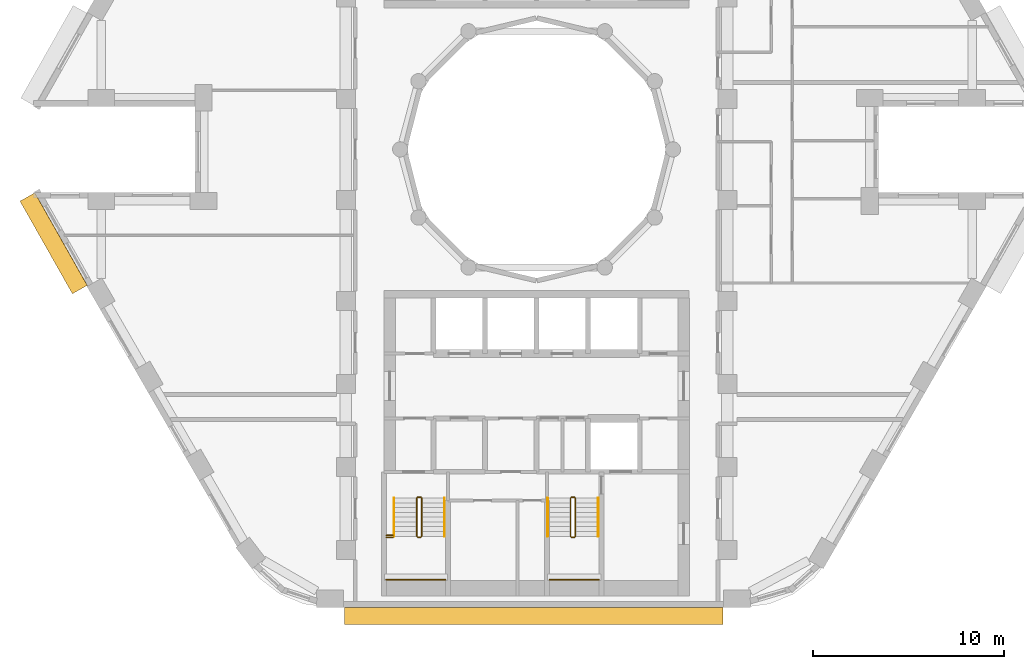
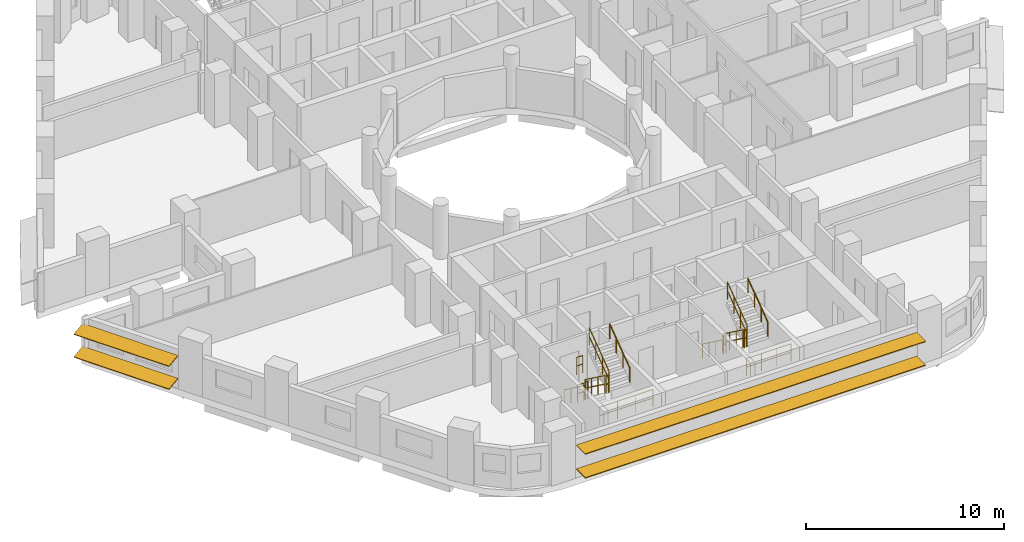
# One storey, part 11 of 13: 16 railings, 4 shading devices.
"""IFC4 building model written with IfcOpenShell, lengths in metres."""

from ifc_helpers import new_model, si_unit, direction, frame, origin, origin_2d, place, context, subcontext, project, spatial, rectangle, circle, extrude, material, material_profile, profile_set, type_object, element, save


model = new_model("IFC4")

# Units and contexts
model_context = context("Model", 3, precision=1e-05, world=origin(), true_north=direction((0.0, 1.0)))
body_context = subcontext(model_context, "Body", "Model", "MODEL_VIEW")
ifc_project = project(units=[si_unit("LENGTHUNIT", "METRE"), si_unit("AREAUNIT", "SQUARE_METRE"), si_unit("VOLUMEUNIT", "CUBIC_METRE"), si_unit("PLANEANGLEUNIT", "RADIAN"), si_unit("MASSUNIT", "GRAM", prefix="KILO")], contexts=[model_context])

# Site, building, storey
site_placement = place(None, origin())
site = spatial("IfcSite", under=ifc_project, at=site_placement, CompositionType="ELEMENT")
building_placement = place(site_placement, origin())
building = spatial("IfcBuilding", under=site, at=building_placement, Name="Nakaniwa Court", CompositionType="ELEMENT")
storey_placement = place(building_placement, frame((0.0, 0.0, 77.699951171875)))
storey = spatial("IfcBuildingStorey", under=building, at=storey_placement, Name="L19", CompositionType="ELEMENT", Elevation=77.699951171875)

# Shading devices
ifc_material_1 = material(Name="Perforated charcoal ceramic louvre blade")
ifc_material_profile = material_profile(ifc_material_1, rectangle(XDim=0.89990234375, YDim=0.050048828125, at=origin_2d()), Name="Perforated ceramic louvre blade")
ifc_profile_set = profile_set([ifc_material_profile], Name="Perforated charcoal ceramic louvre blade")
shading_device_type = type_object("IfcShadingDeviceType", Name="Perforated ceramic louvre blade", PredefinedType="JALOUSIE", material=ifc_profile_set)
for number, where, z_axis, x_axis, name in (
    (1, (53.31689453125, 77.508056640625, 0.550048828125), (0.492438058427, -0.870347493024, 0.0), (0.862701960504, 0.488112256124, 0.132256390257), "L19 perforated ceramic louvre blade w20 1"),
    (2, (53.31689453125, 77.508056640625, 1.955810546875), (0.492438058427, -0.870347493024, 0.0), (0.862701960504, 0.488112256124, 0.132256390257), "L19 perforated ceramic louvre blade w20 2"),
):
    element("IfcShadingDevice", number, at=place(storey_placement, frame(where, z_axis=z_axis, x_axis=x_axis)), inside=storey, type_object=shading_device_type, Name=name, PredefinedType="JALOUSIE", context=body_context, shape_type="SweptSolid", body=[
        extrude(rectangle(XDim=0.89990234375, YDim=0.050048828125, at=origin_2d()), origin(), (0.0, 0.0, 1.0), 5.576416015625),
    ])
for number, where, z_axis, x_axis, name in (
    (3, (69.92138671875, 55.550048828125, 0.550048828125), (1.0, 0.0, 0.0), (0.0, 1.0, 0.0), "L19 perforated ceramic louvre blade w26 1"),
    (4, (69.92138671875, 55.550048828125, 2.01513671875), (1.0, 0.0, 0.0), (0.0, 1.0, 0.0), "L19 perforated ceramic louvre blade w26 2"),
):
    element("IfcShadingDevice", number, at=place(storey_placement, frame(where, z_axis=z_axis, x_axis=x_axis)), inside=storey, type_object=shading_device_type, Name=name, PredefinedType="JALOUSIE", context=body_context, shape_type="SweptSolid", body=[
        extrude(rectangle(XDim=0.89990234375, YDim=0.050048828125, at=origin_2d()), origin(), (0.0, 0.0, 1.0), 19.839599609375),
    ])

# Railings
ifc_material_2 = material(Name="Black powder coated steel guard", Category="steel")
railing_type_1 = type_object("IfcRailingType", Name="Stair guard 1100", PredefinedType="GUARDRAIL", material=ifc_material_2)
railing_1_placement = place(storey_placement, frame((73.72509765625, 61.72509765625, 0.183349609375)))
element("IfcRailing", 5, at=railing_1_placement, inside=storey, type_object=railing_type_1, Name="L19 ST3 stair guard 1", PredefinedType="GUARDRAIL", context=body_context, shape_type="SweptSolid", body=[
    extrude(circle(Radius=0.02392578125, at=origin_2d()), frame((0.0, 0.0, 1.076171875), z_axis=(0.0, -0.806379959628, 0.591397802423), x_axis=(1.0, 0.0, 0.0)), (0.0, 0.0, 1.0), 2.480224609375),
    extrude(circle(Radius=0.02392578125, at=origin_2d()), frame((0.0, 0.0, 0.550048828125), z_axis=(0.0, -0.806379959628, 0.591397802423), x_axis=(1.0, 0.0, 0.0)), (0.0, 0.0, 1.0), 2.480224609375),
    extrude(circle(Radius=0.02099609375, at=origin_2d()), origin(), (0.0, 0.0, 1.0), 1.052001953125),
    extrude(circle(Radius=0.02099609375, at=origin_2d()), frame((0.0, -0.666748046875, 0.489013671875)), (0.0, 0.0, 1.0), 1.052001953125),
    extrude(circle(Radius=0.02099609375, at=origin_2d()), frame((0.0, -1.333251953125, 0.977783203125)), (0.0, 0.0, 1.0), 1.052001953125),
    extrude(circle(Radius=0.02099609375, at=origin_2d()), frame((0.0, -2.0, 1.466796875)), (0.0, 0.0, 1.0), 1.052001953125),
])
railing_2_placement = place(storey_placement, frame((73.77490234375, 59.675048828125, 1.650146484375)))
element("IfcRailing", 6, at=railing_2_placement, inside=storey, type_object=railing_type_1, Name="L19 ST3 stair guard 2", PredefinedType="GUARDRAIL", context=body_context, shape_type="SweptSolid", body=[
    extrude(circle(Radius=0.02392578125, at=origin_2d()), frame((0.0, 0.0, 1.076171875), z_axis=(1.0, 0.0, 0.0), x_axis=(0.0, 1.0, 0.0)), (0.0, 0.0, 1.0), 0.150146484375),
    extrude(circle(Radius=0.02392578125, at=origin_2d()), frame((0.0, 0.0, 0.550048828125), z_axis=(1.0, 0.0, 0.0), x_axis=(0.0, 1.0, 0.0)), (0.0, 0.0, 1.0), 0.150146484375),
    extrude(circle(Radius=0.02099609375, at=origin_2d()), origin(), (0.0, 0.0, 1.0), 1.052001953125),
    extrude(circle(Radius=0.02099609375, at=origin_2d()), frame((0.150146484375, 0.0, 0.0)), (0.0, 0.0, 1.0), 1.052001953125),
])
railing_3_placement = place(storey_placement, frame((73.97509765625, 59.72509765625, 1.83349609375)))
element("IfcRailing", 7, at=railing_3_placement, inside=storey, type_object=railing_type_1, Name="L19 ST3 stair guard 3", PredefinedType="GUARDRAIL", context=body_context, shape_type="SweptSolid", body=[
    extrude(circle(Radius=0.02392578125, at=origin_2d()), frame((0.0, 0.0, 1.076171875), z_axis=(0.0, 0.806426902644, 0.591333789573), x_axis=(-1.0, 0.0, 0.0)), (0.0, 0.0, 1.0), 2.47998046875),
    extrude(circle(Radius=0.02392578125, at=origin_2d()), frame((0.0, 0.0, 0.550048828125), z_axis=(0.0, 0.806426902644, 0.591333789573), x_axis=(-1.0, 0.0, 0.0)), (0.0, 0.0, 1.0), 2.47998046875),
    extrude(circle(Radius=0.02099609375, at=origin_2d()), origin(), (0.0, 0.0, 1.0), 1.052001953125),
    extrude(circle(Radius=0.02099609375, at=origin_2d()), frame((0.0, 0.666748046875, 0.48876953125)), (0.0, 0.0, 1.0), 1.052001953125),
    extrude(circle(Radius=0.02099609375, at=origin_2d()), frame((0.0, 1.333251953125, 0.977783203125)), (0.0, 0.0, 1.0), 1.052001953125),
    extrude(circle(Radius=0.02099609375, at=origin_2d()), frame((0.0, 2.0, 1.466552734375)), (0.0, 0.0, 1.0), 1.052001953125),
])
railing_4_placement = place(storey_placement, frame((73.77490234375, 61.77490234375, 0.0)))
element("IfcRailing", 8, at=railing_4_placement, inside=storey, type_object=railing_type_1, Name="L19 ST3 stair guard 4", PredefinedType="GUARDRAIL", context=body_context, shape_type="SweptSolid", body=[
    extrude(circle(Radius=0.02392578125, at=origin_2d()), frame((0.0, 0.0, 1.076171875), z_axis=(1.0, 0.0, 0.0), x_axis=(0.0, 1.0, 0.0)), (0.0, 0.0, 1.0), 0.150146484375),
    extrude(circle(Radius=0.02392578125, at=origin_2d()), frame((0.0, 0.0, 0.550048828125), z_axis=(1.0, 0.0, 0.0), x_axis=(0.0, 1.0, 0.0)), (0.0, 0.0, 1.0), 0.150146484375),
    extrude(circle(Radius=0.02099609375, at=origin_2d()), origin(), (0.0, 0.0, 1.0), 1.052001953125),
    extrude(circle(Radius=0.02099609375, at=origin_2d()), frame((0.150146484375, 0.0, 0.0)), (0.0, 0.0, 1.0), 1.052001953125),
])
railing_5_placement = place(storey_placement, frame((72.125, 57.449951171875, 1.650146484375)))
element("IfcRailing", 9, at=railing_5_placement, inside=storey, type_object=railing_type_1, Name="L19 ST3 landing end guard 1", PredefinedType="GUARDRAIL", context=body_context, shape_type="SweptSolid", body=[
    extrude(circle(Radius=0.02392578125, at=origin_2d()), frame((0.0, 0.0, 1.076171875), z_axis=(1.0, 0.0, 0.0), x_axis=(0.0, 1.0, 0.0)), (0.0, 0.0, 1.0), 3.10009765625),
    extrude(circle(Radius=0.02392578125, at=origin_2d()), frame((0.0, 0.0, 0.550048828125), z_axis=(1.0, 0.0, 0.0), x_axis=(0.0, 1.0, 0.0)), (0.0, 0.0, 1.0), 3.10009765625),
    extrude(circle(Radius=0.02099609375, at=origin_2d()), origin(), (0.0, 0.0, 1.0), 1.052001953125),
    extrude(circle(Radius=0.02099609375, at=origin_2d()), frame((1.033447265625, 0.0, 0.0)), (0.0, 0.0, 1.0), 1.052001953125),
    extrude(circle(Radius=0.02099609375, at=origin_2d()), frame((2.066650390625, 0.0, 0.0)), (0.0, 0.0, 1.0), 1.052001953125),
    extrude(circle(Radius=0.02099609375, at=origin_2d()), frame((3.10009765625, 0.0, 0.0)), (0.0, 0.0, 1.0), 1.052001953125),
])
for number, where, name in (
    (10, (72.125, 59.675048828125, 1.650146484375), "L19 ST3 landing side guard 1W"),
    (11, (72.125, 59.77490234375, 3.300048828125), "L19 ST3 floor edge guard 1W"),
):
    element("IfcRailing", number, at=place(storey_placement, frame(where)), inside=storey, type_object=railing_type_1, Name=name, PredefinedType="GUARDRAIL", context=body_context, shape_type="SweptSolid", body=[
        extrude(circle(Radius=0.02392578125, at=origin_2d()), frame((0.0, 0.0, 1.076171875), z_axis=(1.0, 0.0, 0.0), x_axis=(0.0, 1.0, 0.0)), (0.0, 0.0, 1.0), 0.35009765625),
        extrude(circle(Radius=0.02392578125, at=origin_2d()), frame((0.0, 0.0, 0.550048828125), z_axis=(1.0, 0.0, 0.0), x_axis=(0.0, 1.0, 0.0)), (0.0, 0.0, 1.0), 0.35009765625),
        extrude(circle(Radius=0.02099609375, at=origin_2d()), origin(), (0.0, 0.0, 1.0), 1.052001953125),
        extrude(circle(Radius=0.02099609375, at=origin_2d()), frame((0.35009765625, 0.0, 0.0)), (0.0, 0.0, 1.0), 1.052001953125),
    ])
railing_6_placement = place(storey_placement, frame((81.77490234375, 61.72509765625, 0.183349609375)))
element("IfcRailing", 12, at=railing_6_placement, inside=storey, type_object=railing_type_1, Name="L19 ST4 stair guard 1", PredefinedType="GUARDRAIL", context=body_context, shape_type="SweptSolid", body=[
    extrude(circle(Radius=0.02392578125, at=origin_2d()), frame((0.0, 0.0, 1.076171875), z_axis=(0.0, -0.806379959628, 0.591397802423), x_axis=(1.0, 0.0, 0.0)), (0.0, 0.0, 1.0), 2.480224609375),
    extrude(circle(Radius=0.02392578125, at=origin_2d()), frame((0.0, 0.0, 0.550048828125), z_axis=(0.0, -0.806379959628, 0.591397802423), x_axis=(1.0, 0.0, 0.0)), (0.0, 0.0, 1.0), 2.480224609375),
    extrude(circle(Radius=0.02099609375, at=origin_2d()), origin(), (0.0, 0.0, 1.0), 1.052001953125),
    extrude(circle(Radius=0.02099609375, at=origin_2d()), frame((0.0, -0.666748046875, 0.489013671875)), (0.0, 0.0, 1.0), 1.052001953125),
    extrude(circle(Radius=0.02099609375, at=origin_2d()), frame((0.0, -1.333251953125, 0.977783203125)), (0.0, 0.0, 1.0), 1.052001953125),
    extrude(circle(Radius=0.02099609375, at=origin_2d()), frame((0.0, -2.0, 1.466796875)), (0.0, 0.0, 1.0), 1.052001953125),
])
railing_7_placement = place(storey_placement, frame((81.824951171875, 59.675048828125, 1.650146484375)))
element("IfcRailing", 13, at=railing_7_placement, inside=storey, type_object=railing_type_1, Name="L19 ST4 stair guard 2", PredefinedType="GUARDRAIL", context=body_context, shape_type="SweptSolid", body=[
    extrude(circle(Radius=0.02392578125, at=origin_2d()), frame((0.0, 0.0, 1.076171875), z_axis=(1.0, 0.0, 0.0), x_axis=(0.0, 1.0, 0.0)), (0.0, 0.0, 1.0), 0.150146484375),
    extrude(circle(Radius=0.02392578125, at=origin_2d()), frame((0.0, 0.0, 0.550048828125), z_axis=(1.0, 0.0, 0.0), x_axis=(0.0, 1.0, 0.0)), (0.0, 0.0, 1.0), 0.150146484375),
    extrude(circle(Radius=0.02099609375, at=origin_2d()), origin(), (0.0, 0.0, 1.0), 1.052001953125),
    extrude(circle(Radius=0.02099609375, at=origin_2d()), frame((0.150146484375, 0.0, 0.0)), (0.0, 0.0, 1.0), 1.052001953125),
])
railing_8_placement = place(storey_placement, frame((82.02490234375, 59.72509765625, 1.83349609375)))
element("IfcRailing", 14, at=railing_8_placement, inside=storey, type_object=railing_type_1, Name="L19 ST4 stair guard 3", PredefinedType="GUARDRAIL", context=body_context, shape_type="SweptSolid", body=[
    extrude(circle(Radius=0.02392578125, at=origin_2d()), frame((0.0, 0.0, 1.076171875), z_axis=(0.0, 0.806426902644, 0.591333789573), x_axis=(-1.0, 0.0, 0.0)), (0.0, 0.0, 1.0), 2.47998046875),
    extrude(circle(Radius=0.02392578125, at=origin_2d()), frame((0.0, 0.0, 0.550048828125), z_axis=(0.0, 0.806426902644, 0.591333789573), x_axis=(-1.0, 0.0, 0.0)), (0.0, 0.0, 1.0), 2.47998046875),
    extrude(circle(Radius=0.02099609375, at=origin_2d()), origin(), (0.0, 0.0, 1.0), 1.052001953125),
    extrude(circle(Radius=0.02099609375, at=origin_2d()), frame((0.0, 0.666748046875, 0.48876953125)), (0.0, 0.0, 1.0), 1.052001953125),
    extrude(circle(Radius=0.02099609375, at=origin_2d()), frame((0.0, 1.333251953125, 0.977783203125)), (0.0, 0.0, 1.0), 1.052001953125),
    extrude(circle(Radius=0.02099609375, at=origin_2d()), frame((0.0, 2.0, 1.466552734375)), (0.0, 0.0, 1.0), 1.052001953125),
])
railing_9_placement = place(storey_placement, frame((81.824951171875, 61.77490234375, 0.0)))
element("IfcRailing", 15, at=railing_9_placement, inside=storey, type_object=railing_type_1, Name="L19 ST4 stair guard 4", PredefinedType="GUARDRAIL", context=body_context, shape_type="SweptSolid", body=[
    extrude(circle(Radius=0.02392578125, at=origin_2d()), frame((0.0, 0.0, 1.076171875), z_axis=(1.0, 0.0, 0.0), x_axis=(0.0, 1.0, 0.0)), (0.0, 0.0, 1.0), 0.150146484375),
    extrude(circle(Radius=0.02392578125, at=origin_2d()), frame((0.0, 0.0, 0.550048828125), z_axis=(1.0, 0.0, 0.0), x_axis=(0.0, 1.0, 0.0)), (0.0, 0.0, 1.0), 0.150146484375),
    extrude(circle(Radius=0.02099609375, at=origin_2d()), origin(), (0.0, 0.0, 1.0), 1.052001953125),
    extrude(circle(Radius=0.02099609375, at=origin_2d()), frame((0.150146484375, 0.0, 0.0)), (0.0, 0.0, 1.0), 1.052001953125),
])
railing_10_placement = place(storey_placement, frame((80.675048828125, 57.449951171875, 1.650146484375)))
element("IfcRailing", 16, at=railing_10_placement, inside=storey, type_object=railing_type_1, Name="L19 ST4 landing end guard 1", PredefinedType="GUARDRAIL", context=body_context, shape_type="SweptSolid", body=[
    extrude(circle(Radius=0.02392578125, at=origin_2d()), frame((0.0, 0.0, 1.076171875), z_axis=(1.0, 0.0, 0.0), x_axis=(0.0, 1.0, 0.0)), (0.0, 0.0, 1.0), 2.599853515625),
    extrude(circle(Radius=0.02392578125, at=origin_2d()), frame((0.0, 0.0, 0.550048828125), z_axis=(1.0, 0.0, 0.0), x_axis=(0.0, 1.0, 0.0)), (0.0, 0.0, 1.0), 2.599853515625),
    extrude(circle(Radius=0.02099609375, at=origin_2d()), origin(), (0.0, 0.0, 1.0), 1.052001953125),
    extrude(circle(Radius=0.02099609375, at=origin_2d()), frame((0.86669921875, 0.0, 0.0)), (0.0, 0.0, 1.0), 1.052001953125),
    extrude(circle(Radius=0.02099609375, at=origin_2d()), frame((1.733154296875, 0.0, 0.0)), (0.0, 0.0, 1.0), 1.052001953125),
    extrude(circle(Radius=0.02099609375, at=origin_2d()), frame((2.599853515625, 0.0, 0.0)), (0.0, 0.0, 1.0), 1.052001953125),
])
ifc_material_3 = material(Name="Black powder coated steel handrail", Category="steel")
railing_type_2 = type_object("IfcRailingType", Name="Stair handrail 900", PredefinedType="HANDRAIL", material=ifc_material_3)
railing_11_placement = place(storey_placement, frame((72.52490234375, 61.72509765625, 0.183349609375)))
element("IfcRailing", 17, at=railing_11_placement, inside=storey, type_object=railing_type_2, Name="L19 ST3 stair handrail 1", PredefinedType="HANDRAIL", context=body_context, shape_type="SweptSolid", body=[
    extrude(circle(Radius=0.02392578125, at=origin_2d()), frame((0.0, 0.0, 0.8759765625), z_axis=(0.0, -0.806379959628, 0.591397802423), x_axis=(1.0, 0.0, 0.0)), (0.0, 0.0, 1.0), 2.480224609375),
    extrude(circle(Radius=0.02099609375, at=origin_2d()), origin(), (0.0, 0.0, 1.0), 0.851806640625),
    extrude(circle(Radius=0.02099609375, at=origin_2d()), frame((0.0, -0.666748046875, 0.489013671875)), (0.0, 0.0, 1.0), 0.851806640625),
    extrude(circle(Radius=0.02099609375, at=origin_2d()), frame((0.0, -1.333251953125, 0.977783203125)), (0.0, 0.0, 1.0), 0.851806640625),
    extrude(circle(Radius=0.02099609375, at=origin_2d()), frame((0.0, -2.0, 1.466796875)), (0.0, 0.0, 1.0), 0.851806640625),
])
railing_12_placement = place(storey_placement, frame((75.175048828125, 59.72509765625, 1.83349609375)))
element("IfcRailing", 18, at=railing_12_placement, inside=storey, type_object=railing_type_2, Name="L19 ST3 stair handrail 2", PredefinedType="HANDRAIL", context=body_context, shape_type="SweptSolid", body=[
    extrude(circle(Radius=0.02392578125, at=origin_2d()), frame((0.0, 0.0, 0.8759765625), z_axis=(0.0, 0.806426902644, 0.591333789573), x_axis=(-1.0, 0.0, 0.0)), (0.0, 0.0, 1.0), 2.47998046875),
    extrude(circle(Radius=0.02099609375, at=origin_2d()), origin(), (0.0, 0.0, 1.0), 0.851806640625),
    extrude(circle(Radius=0.02099609375, at=origin_2d()), frame((0.0, 0.666748046875, 0.48876953125)), (0.0, 0.0, 1.0), 0.851806640625),
    extrude(circle(Radius=0.02099609375, at=origin_2d()), frame((0.0, 1.333251953125, 0.977783203125)), (0.0, 0.0, 1.0), 0.851806640625),
    extrude(circle(Radius=0.02099609375, at=origin_2d()), frame((0.0, 2.0, 1.466552734375)), (0.0, 0.0, 1.0), 0.851806640625),
])
railing_13_placement = place(storey_placement, frame((80.574951171875, 61.72509765625, 0.183349609375)))
element("IfcRailing", 19, at=railing_13_placement, inside=storey, type_object=railing_type_2, Name="L19 ST4 stair handrail 1", PredefinedType="HANDRAIL", context=body_context, shape_type="SweptSolid", body=[
    extrude(circle(Radius=0.02392578125, at=origin_2d()), frame((0.0, 0.0, 0.8759765625), z_axis=(0.0, -0.806379959628, 0.591397802423), x_axis=(1.0, 0.0, 0.0)), (0.0, 0.0, 1.0), 2.480224609375),
    extrude(circle(Radius=0.02099609375, at=origin_2d()), origin(), (0.0, 0.0, 1.0), 0.851806640625),
    extrude(circle(Radius=0.02099609375, at=origin_2d()), frame((0.0, -0.666748046875, 0.489013671875)), (0.0, 0.0, 1.0), 0.851806640625),
    extrude(circle(Radius=0.02099609375, at=origin_2d()), frame((0.0, -1.333251953125, 0.977783203125)), (0.0, 0.0, 1.0), 0.851806640625),
    extrude(circle(Radius=0.02099609375, at=origin_2d()), frame((0.0, -2.0, 1.466796875)), (0.0, 0.0, 1.0), 0.851806640625),
])
railing_14_placement = place(storey_placement, frame((83.22509765625, 59.72509765625, 1.83349609375)))
element("IfcRailing", 20, at=railing_14_placement, inside=storey, type_object=railing_type_2, Name="L19 ST4 stair handrail 2", PredefinedType="HANDRAIL", context=body_context, shape_type="SweptSolid", body=[
    extrude(circle(Radius=0.02392578125, at=origin_2d()), frame((0.0, 0.0, 0.8759765625), z_axis=(0.0, 0.806426902644, 0.591333789573), x_axis=(-1.0, 0.0, 0.0)), (0.0, 0.0, 1.0), 2.47998046875),
    extrude(circle(Radius=0.02099609375, at=origin_2d()), origin(), (0.0, 0.0, 1.0), 0.851806640625),
    extrude(circle(Radius=0.02099609375, at=origin_2d()), frame((0.0, 0.666748046875, 0.48876953125)), (0.0, 0.0, 1.0), 0.851806640625),
    extrude(circle(Radius=0.02099609375, at=origin_2d()), frame((0.0, 1.333251953125, 0.977783203125)), (0.0, 0.0, 1.0), 0.851806640625),
    extrude(circle(Radius=0.02099609375, at=origin_2d()), frame((0.0, 2.0, 1.466552734375)), (0.0, 0.0, 1.0), 0.851806640625),
])

save(model, "model.ifc")
